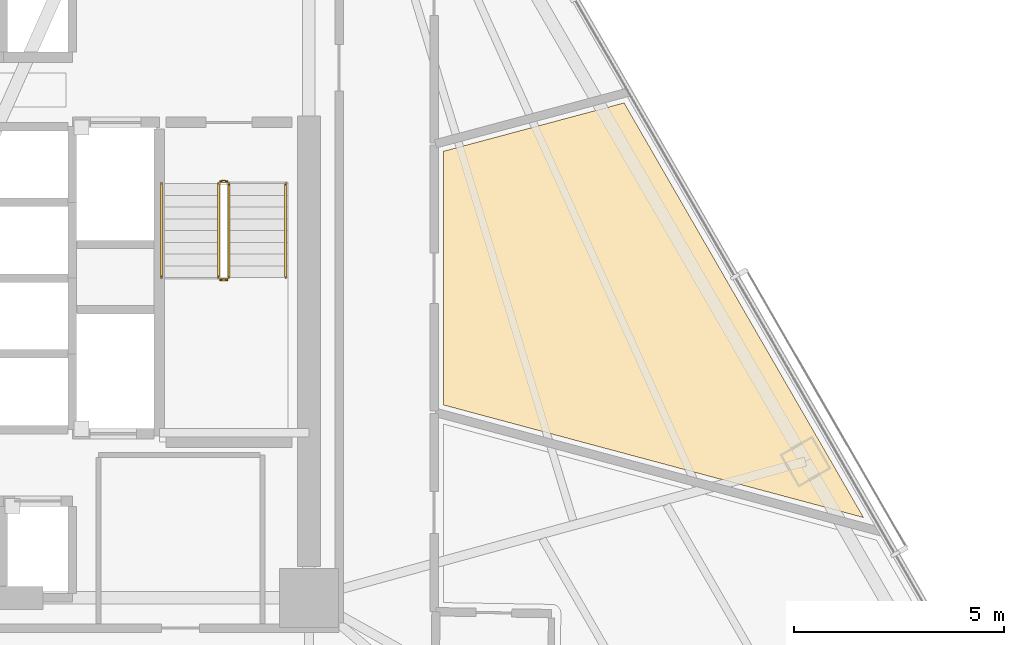
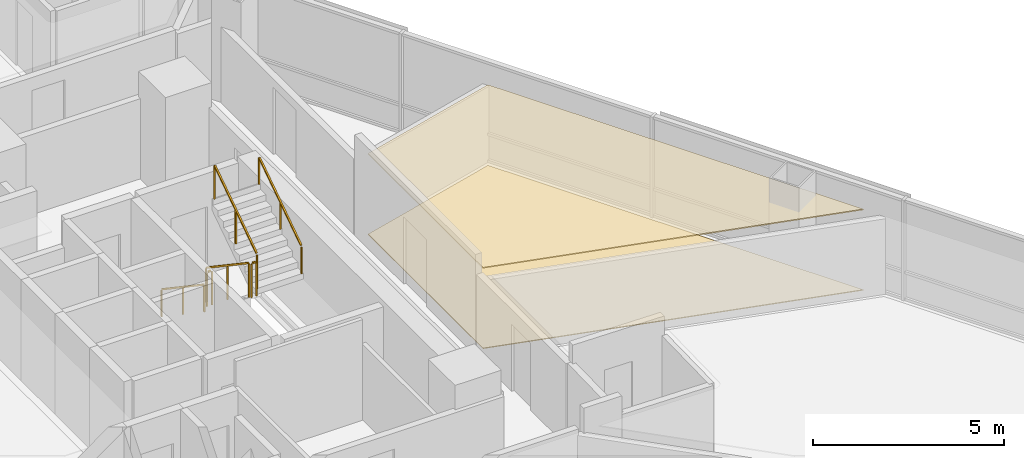
# One storey, part 15 of 16: 6 railings, 2 coverings.
"""IFC4 building model written with IfcOpenShell, lengths in metres."""

from ifc_helpers import new_model, si_unit, direction, frame, origin, origin_2d, place, context, subcontext, project, spatial, polyline, rectangle, outline, extrude, material, layer, layer_set, type_object, element, save


model = new_model("IFC4")

# Units and contexts
model_context = context("Model", 3, precision=1e-05, world=origin(), true_north=direction((0.0, 1.0)))
body_context = subcontext(model_context, "Body", "Model", "MODEL_VIEW")
ifc_project = project(units=[si_unit("LENGTHUNIT", "METRE"), si_unit("AREAUNIT", "SQUARE_METRE"), si_unit("VOLUMEUNIT", "CUBIC_METRE"), si_unit("PLANEANGLEUNIT", "RADIAN"), si_unit("MASSUNIT", "GRAM", prefix="KILO")], contexts=[model_context])

# Site, building, storey
site_placement = place(None, origin())
site = spatial("IfcSite", under=ifc_project, at=site_placement, CompositionType="ELEMENT")
building_placement = place(site_placement, origin())
building = spatial("IfcBuilding", under=site, at=building_placement, Name="Tharavind Bronze Gate", CompositionType="ELEMENT")
storey_placement = place(building_placement, frame((0.0, 0.0, 48.85009765625)))
storey = spatial("IfcBuildingStorey", under=building, at=storey_placement, Name="L11", CompositionType="ELEMENT", Elevation=48.85009765625)

# Coverings
ifc_material_1 = material(Name="Perforated Bronze Acoustic Panel", Category="bronze")
ifc_layer_1 = layer(ifc_material_1, 0.044921875)
ifc_layer_set_1 = layer_set([ifc_layer_1], Name="Perforated Bronze Acoustic Panel")
covering_type_1 = type_object("IfcCoveringType", Name="ACOUSTIC BRONZE BAFFLE CEILING", PredefinedType="CEILING", material=ifc_layer_set_1)
covering_1_placement = place(storey_placement, frame((0.0, 0.0, 2.574951171875)))
element("IfcCovering", 1, at=covering_1_placement, inside=storey, type_object=covering_type_1, Name="L11-RM-12 suspended ceiling", PredefinedType="CEILING", context=body_context, shape_type="SweptSolid", body=[
    extrude(outline(polyline([(22.08349609375, -5.689453125), (16.393798828125, 4.1650390625), (12.10009765625, 3.014404296875), (12.10009765625, -3.014404296875), (22.08349609375, -5.689453125)])), origin(), (0.0, 0.0, 1.0), 0.034912109375),
])
ifc_material_2 = material(Name="Honed Travertine Limestone", Category="masonry")
ifc_layer_2 = layer(ifc_material_2, 0.030029296875)
ifc_layer_set_2 = layer_set([ifc_layer_2], Name="Honed Travertine Limestone")
covering_type_2 = type_object("IfcCoveringType", Name="HONED LIMESTONE FLOORING", PredefinedType="FLOORING", material=ifc_layer_set_2)
covering_2_placement = place(storey_placement, origin())
element("IfcCovering", 2, at=covering_2_placement, inside=storey, type_object=covering_type_2, Name="L11-RM-12 floor finish", PredefinedType="FLOORING", context=body_context, shape_type="SweptSolid", body=[
    extrude(outline(polyline([(22.08349609375, -5.689453125), (16.393798828125, 4.1650390625), (12.10009765625, 3.014404296875), (12.10009765625, -3.014404296875), (22.08349609375, -5.689453125)])), origin(), (0.0, 0.0, 1.0), 0.02490234375),
])

# Railings
ifc_material_3 = material(Name="Brushed Bronze Alloy", Category="metal")
railing_type_1 = type_object("IfcRailingType", Name="STAIR BRONZE HANDRAIL 900", PredefinedType="HANDRAIL", material=ifc_material_3)
railing_1_placement = place(storey_placement, frame((5.39990234375, 2.25, 0.188720703125)))
element("IfcRailing", 3, at=railing_1_placement, inside=storey, type_object=railing_type_1, Name="L11 ST2 stair handrail 1", PredefinedType="HANDRAIL", context=body_context, shape_type="SweptSolid", body=[
    extrude(rectangle(XDim=0.048095703125, YDim=0.048095703125, at=origin_2d()), frame((0.0, -0.026611328125, 0.893798828125), z_axis=(0.0, -0.828979582247, 0.559278868023), x_axis=(1.0, 0.0, 0.0)), (0.0, 0.0, 1.0), 2.63818359375),
    extrude(rectangle(XDim=0.0400390625, YDim=0.0400390625, at=origin_2d()), origin(), (0.0, 0.0, 1.0), 0.847900390625),
    extrude(rectangle(XDim=0.0400390625, YDim=0.0400390625, at=origin_2d()), frame((0.0, -1.1201171875, 0.755615234375)), (0.0, 0.0, 1.0), 0.847900390625),
    extrude(rectangle(XDim=0.0400390625, YDim=0.0400390625, at=origin_2d()), frame((0.0, -2.239990234375, 1.51123046875)), (0.0, 0.0, 1.0), 0.847900390625),
])
railing_2_placement = place(storey_placement, frame((8.35009765625, 0.010009765625, 1.888671875)))
element("IfcRailing", 4, at=railing_2_placement, inside=storey, type_object=railing_type_1, Name="L11 ST2 stair handrail 2", PredefinedType="HANDRAIL", context=body_context, shape_type="SweptSolid", body=[
    extrude(rectangle(XDim=0.048095703125, YDim=0.048095703125, at=origin_2d()), frame((0.0, 0.026611328125, 0.893798828125), z_axis=(0.0, 0.828979582247, 0.559278868023), x_axis=(-1.0, 0.0, 0.0)), (0.0, 0.0, 1.0), 2.63818359375),
    extrude(rectangle(XDim=0.0400390625, YDim=0.0400390625, at=origin_2d()), origin(), (0.0, 0.0, 1.0), 0.847900390625),
    extrude(rectangle(XDim=0.0400390625, YDim=0.0400390625, at=origin_2d()), frame((0.0, 1.1201171875, 0.755615234375)), (0.0, 0.0, 1.0), 0.847900390625),
    extrude(rectangle(XDim=0.0400390625, YDim=0.0400390625, at=origin_2d()), frame((0.0, 2.239990234375, 1.51123046875)), (0.0, 0.0, 1.0), 0.847900390625),
])
railing_type_2 = type_object("IfcRailingType", Name="STAIR WELL GUARD RAILING 1120", PredefinedType="GUARDRAIL", material=ifc_material_3)
railing_3_placement = place(storey_placement, frame((6.75, 2.25, 0.188720703125)))
element("IfcRailing", 5, at=railing_3_placement, inside=storey, type_object=railing_type_2, Name="L11 ST2 stair guard 1", PredefinedType="GUARDRAIL", context=body_context, shape_type="SweptSolid", body=[
    extrude(rectangle(XDim=0.048095703125, YDim=0.048095703125, at=origin_2d()), frame((0.0, -0.026611328125, 1.114013671875), z_axis=(0.0, -0.828979582247, 0.559278868023), x_axis=(1.0, 0.0, 0.0)), (0.0, 0.0, 1.0), 2.63818359375),
    extrude(rectangle(XDim=0.0400390625, YDim=0.0400390625, at=origin_2d()), origin(), (0.0, 0.0, 1.0), 1.068115234375),
    extrude(rectangle(XDim=0.0400390625, YDim=0.0400390625, at=origin_2d()), frame((0.0, -1.1201171875, 0.755615234375)), (0.0, 0.0, 1.0), 1.068115234375),
    extrude(rectangle(XDim=0.0400390625, YDim=0.0400390625, at=origin_2d()), frame((0.0, -2.239990234375, 1.51123046875)), (0.0, 0.0, 1.0), 1.068115234375),
])
railing_4_placement = place(storey_placement, frame((6.800048828125, -0.0400390625, 1.699951171875)))
element("IfcRailing", 6, at=railing_4_placement, inside=storey, type_object=railing_type_2, Name="L11 ST2 stair guard 2", PredefinedType="GUARDRAIL", context=body_context, shape_type="SweptSolid", body=[
    extrude(rectangle(XDim=0.048095703125, YDim=0.048095703125, at=origin_2d()), frame((0.031982421875, 0.0, 1.09619140625), z_axis=(1.0, 0.0, 0.0), x_axis=(0.0, 1.0, 0.0)), (0.0, 0.0, 1.0), 0.0859375),
    extrude(rectangle(XDim=0.0400390625, YDim=0.0400390625, at=origin_2d()), origin(), (0.0, 0.0, 1.0), 1.068115234375),
    extrude(rectangle(XDim=0.0400390625, YDim=0.0400390625, at=origin_2d()), frame((0.14990234375, 0.0, 0.0)), (0.0, 0.0, 1.0), 1.068115234375),
])
railing_5_placement = place(storey_placement, frame((7.0, 0.010009765625, 1.888671875)))
element("IfcRailing", 7, at=railing_5_placement, inside=storey, type_object=railing_type_2, Name="L11 ST2 stair guard 3", PredefinedType="GUARDRAIL", context=body_context, shape_type="SweptSolid", body=[
    extrude(rectangle(XDim=0.048095703125, YDim=0.048095703125, at=origin_2d()), frame((0.0, 0.026611328125, 1.114013671875), z_axis=(0.0, 0.828979582247, 0.559278868023), x_axis=(-1.0, 0.0, 0.0)), (0.0, 0.0, 1.0), 2.63818359375),
    extrude(rectangle(XDim=0.0400390625, YDim=0.0400390625, at=origin_2d()), origin(), (0.0, 0.0, 1.0), 1.068115234375),
    extrude(rectangle(XDim=0.0400390625, YDim=0.0400390625, at=origin_2d()), frame((0.0, 1.1201171875, 0.755615234375)), (0.0, 0.0, 1.0), 1.068115234375),
    extrude(rectangle(XDim=0.0400390625, YDim=0.0400390625, at=origin_2d()), frame((0.0, 2.239990234375, 1.51123046875)), (0.0, 0.0, 1.0), 1.068115234375),
])
railing_6_placement = place(storey_placement, frame((6.800048828125, 2.300048828125, 0.0)))
element("IfcRailing", 8, at=railing_6_placement, inside=storey, type_object=railing_type_2, Name="L11 ST2 stair guard 4", PredefinedType="GUARDRAIL", context=body_context, shape_type="SweptSolid", body=[
    extrude(rectangle(XDim=0.048095703125, YDim=0.048095703125, at=origin_2d()), frame((0.031982421875, 0.0, 1.09619140625), z_axis=(1.0, 0.0, 0.0), x_axis=(0.0, 1.0, 0.0)), (0.0, 0.0, 1.0), 0.0859375),
    extrude(rectangle(XDim=0.0400390625, YDim=0.0400390625, at=origin_2d()), origin(), (0.0, 0.0, 1.0), 1.068115234375),
    extrude(rectangle(XDim=0.0400390625, YDim=0.0400390625, at=origin_2d()), frame((0.14990234375, 0.0, 0.0)), (0.0, 0.0, 1.0), 1.068115234375),
])

save(model, "model.ifc")
